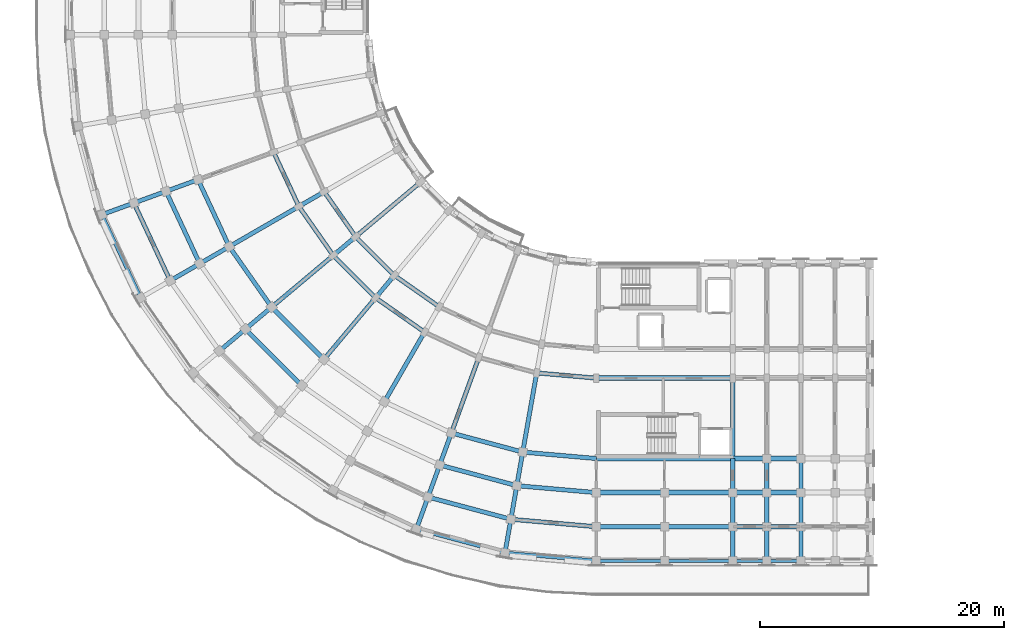
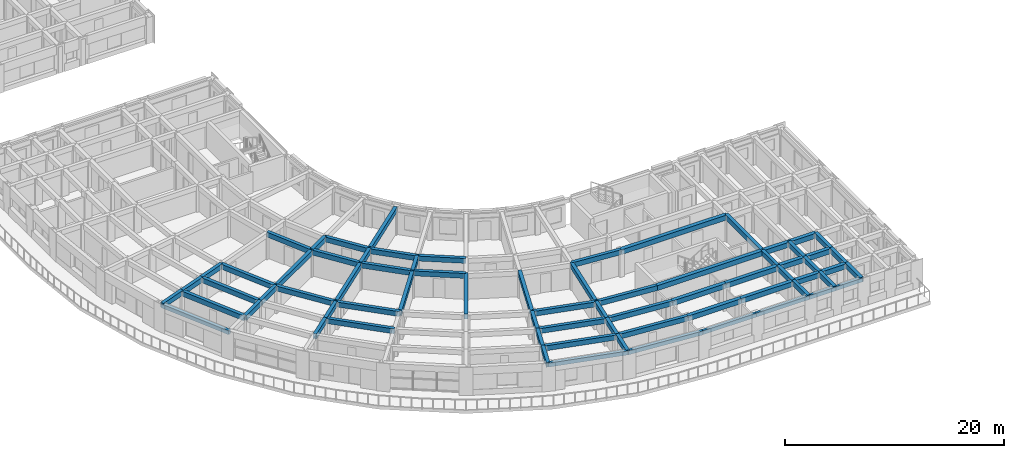
# One storey, part 5 of 57: 72 beams.
"""IFC4 building model written with IfcOpenShell, lengths in metres."""

from ifc_helpers import new_model, si_unit, direction, frame, origin, origin_2d, place, context, subcontext, project, spatial, rectangle, extrude, material, material_profile, profile_set, type_object, element, save


model = new_model("IFC4")

# Units and contexts
model_context = context("Model", 3, precision=1e-05, world=origin(), true_north=direction((0.0, 1.0)))
body_context = subcontext(model_context, "Body", "Model", "MODEL_VIEW")
ifc_project = project(units=[si_unit("LENGTHUNIT", "METRE"), si_unit("AREAUNIT", "SQUARE_METRE"), si_unit("VOLUMEUNIT", "CUBIC_METRE"), si_unit("PLANEANGLEUNIT", "RADIAN"), si_unit("MASSUNIT", "GRAM", prefix="KILO")], contexts=[model_context])

# Site, building, storey
site_placement = place(None, origin())
site = spatial("IfcSite", under=ifc_project, at=site_placement, CompositionType="ELEMENT")
building_placement = place(site_placement, origin())
building = spatial("IfcBuilding", under=site, at=building_placement, Name="Kiranvali Square Residences", CompositionType="ELEMENT")
storey_placement = place(building_placement, frame((0.0, 0.0, 21.300048828125)))
storey = spatial("IfcBuildingStorey", under=building, at=storey_placement, Name="L06", CompositionType="ELEMENT", Elevation=21.300048828125)

# Beams
ifc_material_1 = material(Name="Concrete M40 (40 MPa)", Category="concrete")
ifc_material_profile_1 = material_profile(ifc_material_1, rectangle(XDim=0.35009765625, YDim=0.550048828125, at=origin_2d()), Name="RC 350x550")
ifc_profile_set_1 = profile_set([ifc_material_profile_1], Name="Concrete M40 (40 MPa)")
beam_type_1 = type_object("IfcBeamType", Name="BM-M40-350x550", PredefinedType="BEAM", material=ifc_profile_set_1)
beam_1_placement = place(storey_placement, frame((48.199951171875, 20.0, 2.655029296875), z_axis=(-0.996193663584, 0.087167566415, 0.0), x_axis=(-0.087167566415, -0.996193663584, 0.0)))
element("IfcBeam", 1, at=beam_1_placement, inside=storey, type_object=beam_type_1, Name="L06 beam BM-C-L06-C00-R2", PredefinedType="BEAM", context=body_context, shape_type="SweptSolid", body=[
    extrude(rectangle(XDim=0.35009765625, YDim=0.550048828125, at=origin_2d()), origin(), (0.0, 0.0, 1.0), 4.91552734375),
])
beam_2_placement = place(storey_placement, frame((48.199951171875, 13.39990234375, 2.655029296875), z_axis=(-0.996193018494, 0.087174938512, 0.0), x_axis=(-0.087174938512, -0.996193018494, 0.0)))
element("IfcBeam", 2, at=beam_2_placement, inside=storey, type_object=beam_type_1, Name="L06 beam BM-C-L06-C00-R3", PredefinedType="BEAM", context=body_context, shape_type="SweptSolid", body=[
    extrude(rectangle(XDim=0.35009765625, YDim=0.550048828125, at=origin_2d()), origin(), (0.0, 0.0, 1.0), 6.066162109375),
])
beam_3_placement = place(storey_placement, frame((48.199951171875, 10.60009765625, 2.655029296875), z_axis=(-0.996196991902, 0.0871295204, 0.0), x_axis=(-0.0871295204, -0.996196991902, 0.0)))
element("IfcBeam", 3, at=beam_3_placement, inside=storey, type_object=beam_type_1, Name="L06 beam BM-C-L06-C00-R4", PredefinedType="BEAM", context=body_context, shape_type="SweptSolid", body=[
    extrude(rectangle(XDim=0.35009765625, YDim=0.550048828125, at=origin_2d()), origin(), (0.0, 0.0, 1.0), 6.553955078125),
])
beam_4_placement = place(storey_placement, frame((48.199951171875, 7.800048828125, 2.655029296875), z_axis=(-0.996194658198, 0.087156198737, 0.0), x_axis=(-0.087156198737, -0.996194658198, 0.0)))
element("IfcBeam", 4, at=beam_4_placement, inside=storey, type_object=beam_type_1, Name="L06 beam BM-C-L06-C00-R5", PredefinedType="BEAM", context=body_context, shape_type="SweptSolid", body=[
    extrude(rectangle(XDim=0.35009765625, YDim=0.550048828125, at=origin_2d()), origin(), (0.0, 0.0, 1.0), 7.042236328125),
])
beam_5_placement = place(storey_placement, frame((42.156982421875, 13.9287109375, 2.655029296875), z_axis=(-0.965923618901, 0.258827283048, 0.0), x_axis=(-0.258827283048, -0.965923618901, 0.0)))
element("IfcBeam", 5, at=beam_5_placement, inside=storey, type_object=beam_type_1, Name="L06 beam BM-C-L06-C01-R3", PredefinedType="BEAM", context=body_context, shape_type="SweptSolid", body=[
    extrude(rectangle(XDim=0.35009765625, YDim=0.550048828125, at=origin_2d()), origin(), (0.0, 0.0, 1.0), 6.066162109375),
])
beam_6_placement = place(storey_placement, frame((41.6708984375, 11.171142578125, 2.655029296875), z_axis=(-0.965918287583, 0.258847178297, 0.0), x_axis=(-0.258847178297, -0.965918287583, 0.0)))
element("IfcBeam", 6, at=beam_6_placement, inside=storey, type_object=beam_type_1, Name="L06 beam BM-C-L06-C01-R4", PredefinedType="BEAM", context=body_context, shape_type="SweptSolid", body=[
    extrude(rectangle(XDim=0.35009765625, YDim=0.550048828125, at=origin_2d()), origin(), (0.0, 0.0, 1.0), 6.55419921875),
])
beam_7_placement = place(storey_placement, frame((41.1845703125, 8.413818359375, 2.655029296875), z_axis=(-0.965931029817, 0.258799624492, 0.0), x_axis=(-0.258799624492, -0.965931029817, 0.0)))
element("IfcBeam", 7, at=beam_7_placement, inside=storey, type_object=beam_type_1, Name="L06 beam BM-C-L06-C01-R5", PredefinedType="BEAM", context=body_context, shape_type="SweptSolid", body=[
    extrude(rectangle(XDim=0.35009765625, YDim=0.550048828125, at=origin_2d()), origin(), (0.0, 0.0, 1.0), 7.042236328125),
])
beam_8_placement = place(storey_placement, frame((35.300048828125, 25.8564453125, 2.655029296875), z_axis=(-0.819155404658, 0.573571637217, 0.0), x_axis=(-0.573571637217, -0.819155404658, 0.0)))
element("IfcBeam", 8, at=beam_8_placement, inside=storey, type_object=beam_type_1, Name="L06 beam BM-C-L06-C03-R1", PredefinedType="BEAM", context=body_context, shape_type="SweptSolid", body=[
    extrude(rectangle(XDim=0.35009765625, YDim=0.550048828125, at=origin_2d()), origin(), (0.0, 0.0, 1.0), 4.497314453125),
])
beam_9_placement = place(storey_placement, frame((34.10009765625, 23.778076171875, 2.655029296875), z_axis=(-0.819140911474, 0.573592335331, 0.0), x_axis=(-0.573592335331, -0.819140911474, 0.0)))
element("IfcBeam", 9, at=beam_9_placement, inside=storey, type_object=beam_type_1, Name="L06 beam BM-C-L06-C03-R2", PredefinedType="BEAM", context=body_context, shape_type="SweptSolid", body=[
    extrude(rectangle(XDim=0.35009765625, YDim=0.550048828125, at=origin_2d()), origin(), (0.0, 0.0, 1.0), 4.915771484375),
])
beam_10_placement = place(storey_placement, frame((31.615966796875, 28.43603515625, 2.655029296875), z_axis=(-0.707106781187, 0.707106781187, 0.0), x_axis=(-0.707106781187, -0.707106781187, 0.0)))
element("IfcBeam", 10, at=beam_10_placement, inside=storey, type_object=beam_type_1, Name="L06 beam BM-C-L06-C04-R1", PredefinedType="BEAM", context=body_context, shape_type="SweptSolid", body=[
    extrude(rectangle(XDim=0.35009765625, YDim=0.550048828125, at=origin_2d()), origin(), (0.0, 0.0, 1.0), 4.4970703125),
])
beam_11_placement = place(storey_placement, frame((30.073486328125, 26.59765625, 2.655029296875), z_axis=(-0.707106781187, 0.707106781187, 0.0), x_axis=(-0.707106781187, -0.707106781187, 0.0)))
element("IfcBeam", 11, at=beam_11_placement, inside=storey, type_object=beam_type_1, Name="L06 beam BM-C-L06-C04-R2", PredefinedType="BEAM", context=body_context, shape_type="SweptSolid", body=[
    extrude(rectangle(XDim=0.35009765625, YDim=0.550048828125, at=origin_2d()), origin(), (0.0, 0.0, 1.0), 4.91552734375),
])
beam_12_placement = place(storey_placement, frame((25.8310546875, 21.541748046875, 2.655029296875), z_axis=(-0.707106781187, 0.707106781187, 0.0), x_axis=(-0.707106781187, -0.707106781187, 0.0)))
element("IfcBeam", 12, at=beam_12_placement, inside=storey, type_object=beam_type_1, Name="L06 beam BM-C-L06-C04-R3", PredefinedType="BEAM", context=body_context, shape_type="SweptSolid", body=[
    extrude(rectangle(XDim=0.35009765625, YDim=0.550048828125, at=origin_2d()), origin(), (0.0, 0.0, 1.0), 6.06591796875),
])
beam_13_placement = place(storey_placement, frame((24.03125, 19.396728515625, 2.655029296875), z_axis=(-0.707106781187, 0.707106781187, 0.0), x_axis=(-0.707106781187, -0.707106781187, 0.0)))
element("IfcBeam", 13, at=beam_13_placement, inside=storey, type_object=beam_type_1, Name="L06 beam BM-C-L06-C04-R4", PredefinedType="BEAM", context=body_context, shape_type="SweptSolid", body=[
    extrude(rectangle(XDim=0.35009765625, YDim=0.550048828125, at=origin_2d()), origin(), (0.0, 0.0, 1.0), 6.55419921875),
])
beam_14_placement = place(storey_placement, frame((28.43603515625, 31.615966796875, 2.655029296875), z_axis=(-0.573571637217, 0.819155404658, 0.0), x_axis=(-0.819155404658, -0.573571637217, 0.0)))
element("IfcBeam", 14, at=beam_14_placement, inside=storey, type_object=beam_type_1, Name="L06 beam BM-C-L06-C05-R1", PredefinedType="BEAM", context=body_context, shape_type="SweptSolid", body=[
    extrude(rectangle(XDim=0.35009765625, YDim=0.550048828125, at=origin_2d()), origin(), (0.0, 0.0, 1.0), 4.497314453125),
])
beam_15_placement = place(storey_placement, frame((26.59765625, 30.073486328125, 2.655029296875), z_axis=(-0.573592335331, 0.819140911474, 0.0), x_axis=(-0.819140911474, -0.573592335331, 0.0)))
element("IfcBeam", 15, at=beam_15_placement, inside=storey, type_object=beam_type_1, Name="L06 beam BM-C-L06-C05-R2", PredefinedType="BEAM", context=body_context, shape_type="SweptSolid", body=[
    extrude(rectangle(XDim=0.35009765625, YDim=0.550048828125, at=origin_2d()), origin(), (0.0, 0.0, 1.0), 4.915771484375),
])
beam_16_placement = place(storey_placement, frame((21.541748046875, 25.8310546875, 2.655029296875), z_axis=(-0.573594691504, 0.81913926159, 0.0), x_axis=(-0.81913926159, -0.573594691504, 0.0)))
element("IfcBeam", 16, at=beam_16_placement, inside=storey, type_object=beam_type_1, Name="L06 beam BM-C-L06-C05-R3", PredefinedType="BEAM", context=body_context, shape_type="SweptSolid", body=[
    extrude(rectangle(XDim=0.35009765625, YDim=0.550048828125, at=origin_2d()), origin(), (0.0, 0.0, 1.0), 6.066162109375),
])
beam_17_placement = place(storey_placement, frame((23.778076171875, 34.10009765625, 2.655029296875), z_axis=(-0.422629854778, 0.906302381024, 0.0), x_axis=(-0.906302381024, -0.422629854778, 0.0)))
element("IfcBeam", 17, at=beam_17_placement, inside=storey, type_object=beam_type_1, Name="L06 beam BM-C-L06-C06-R2", PredefinedType="BEAM", context=body_context, shape_type="SweptSolid", body=[
    extrude(rectangle(XDim=0.35009765625, YDim=0.550048828125, at=origin_2d()), origin(), (0.0, 0.0, 1.0), 4.915283203125),
])
beam_18_placement = place(storey_placement, frame((18.062255859375, 30.800048828125, 2.655029296875), z_axis=(-0.42260781991, 0.906312656069, 0.0), x_axis=(-0.906312656069, -0.42260781991, 0.0)))
element("IfcBeam", 18, at=beam_18_placement, inside=storey, type_object=beam_type_1, Name="L06 beam BM-C-L06-C06-R3", PredefinedType="BEAM", context=body_context, shape_type="SweptSolid", body=[
    extrude(rectangle(XDim=0.35009765625, YDim=0.550048828125, at=origin_2d()), origin(), (0.0, 0.0, 1.0), 6.06591796875),
])
beam_19_placement = place(storey_placement, frame((15.637451171875, 29.39990234375, 2.655029296875), z_axis=(-0.422595876255, 0.906318225223, 0.0), x_axis=(-0.906318225223, -0.422595876255, 0.0)))
element("IfcBeam", 19, at=beam_19_placement, inside=storey, type_object=beam_type_1, Name="L06 beam BM-C-L06-C06-R4", PredefinedType="BEAM", context=body_context, shape_type="SweptSolid", body=[
    extrude(rectangle(XDim=0.35009765625, YDim=0.550048828125, at=origin_2d()), origin(), (0.0, 0.0, 1.0), 6.55419921875),
])
beam_20_placement = place(storey_placement, frame((13.212646484375, 28.0, 2.655029296875), z_axis=(-0.422640621205, 0.906297360311, 0.0), x_axis=(-0.906297360311, -0.422640621205, 0.0)))
element("IfcBeam", 20, at=beam_20_placement, inside=storey, type_object=beam_type_1, Name="L06 beam BM-C-L06-C06-R5", PredefinedType="BEAM", context=body_context, shape_type="SweptSolid", body=[
    extrude(rectangle(XDim=0.35009765625, YDim=0.550048828125, at=origin_2d()), origin(), (0.0, 0.0, 1.0), 7.042236328125),
])
beam_21_placement = place(storey_placement, frame((43.30322265625, 20.428466796875, 2.655029296875), z_axis=(-0.173671381499, -0.984803661269, 0.0), x_axis=(0.984803661269, -0.173671381499, 0.0)))
element("IfcBeam", 21, at=beam_21_placement, inside=storey, type_object=beam_type_1, Name="L06 beam BM-C-L06-RAD01-23", PredefinedType="BEAM", context=body_context, shape_type="SweptSolid", body=[
    extrude(rectangle(XDim=0.35009765625, YDim=0.550048828125, at=origin_2d()), origin(), (0.0, 0.0, 1.0), 6.60009765625),
])
beam_22_placement = place(storey_placement, frame((42.156982421875, 13.9287109375, 2.655029296875), z_axis=(-0.173596320392, -0.984816895441, 0.0), x_axis=(0.984816895441, -0.173596320392, 0.0)))
element("IfcBeam", 22, at=beam_22_placement, inside=storey, type_object=beam_type_1, Name="L06 beam BM-C-L06-RAD01-34", PredefinedType="BEAM", context=body_context, shape_type="SweptSolid", body=[
    extrude(rectangle(XDim=0.35009765625, YDim=0.550048828125, at=origin_2d()), origin(), (0.0, 0.0, 1.0), 2.800048828125),
])
beam_23_placement = place(storey_placement, frame((41.6708984375, 11.171142578125, 2.655029296875), z_axis=(-0.173695795656, -0.984799355489, 0.0), x_axis=(0.984799355489, -0.173695795656, 0.0)))
element("IfcBeam", 23, at=beam_23_placement, inside=storey, type_object=beam_type_1, Name="L06 beam BM-C-L06-RAD01-45", PredefinedType="BEAM", context=body_context, shape_type="SweptSolid", body=[
    extrude(rectangle(XDim=0.35009765625, YDim=0.550048828125, at=origin_2d()), origin(), (0.0, 0.0, 1.0), 2.7998046875),
])
beam_24_placement = place(storey_placement, frame((41.1845703125, 8.413818359375, 2.695068359375), z_axis=(-0.173596320392, -0.984816895441, 0.0), x_axis=(0.984816895441, -0.173596320392, 0.0)))
element("IfcBeam", 24, at=beam_24_placement, inside=storey, type_object=beam_type_1, Name="L06 beam BM-C-L06-RAD01-56", PredefinedType="BEAM", context=body_context, shape_type="SweptSolid", body=[
    extrude(rectangle(XDim=0.35009765625, YDim=0.550048828125, at=origin_2d()), origin(), (0.0, 0.0, 1.0), 2.800048828125),
])
beam_25_placement = place(storey_placement, frame((38.554931640625, 21.70068359375, 2.655029296875), z_axis=(-0.342022238372, -0.939691858249, 0.0), x_axis=(0.939691858249, -0.342022238372, 0.0)))
element("IfcBeam", 25, at=beam_25_placement, inside=storey, type_object=beam_type_1, Name="L06 beam BM-C-L06-RAD02-23", PredefinedType="BEAM", context=body_context, shape_type="SweptSolid", body=[
    extrude(rectangle(XDim=0.35009765625, YDim=0.550048828125, at=origin_2d()), origin(), (0.0, 0.0, 1.0), 6.599853515625),
])
beam_26_placement = place(storey_placement, frame((36.297607421875, 15.498779296875, 2.655029296875), z_axis=(-0.341981089711, -0.93970683422, 0.0), x_axis=(0.93970683422, -0.341981089711, 0.0)))
element("IfcBeam", 26, at=beam_26_placement, inside=storey, type_object=beam_type_1, Name="L06 beam BM-C-L06-RAD02-34", PredefinedType="BEAM", context=body_context, shape_type="SweptSolid", body=[
    extrude(rectangle(XDim=0.35009765625, YDim=0.550048828125, at=origin_2d()), origin(), (0.0, 0.0, 1.0), 2.7998046875),
])
beam_27_placement = place(storey_placement, frame((35.340087890625, 12.86767578125, 2.655029296875), z_axis=(-0.342030060398, -0.939689011208, 0.0), x_axis=(0.939689011208, -0.342030060398, 0.0)))
element("IfcBeam", 27, at=beam_27_placement, inside=storey, type_object=beam_type_1, Name="L06 beam BM-C-L06-RAD02-45", PredefinedType="BEAM", context=body_context, shape_type="SweptSolid", body=[
    extrude(rectangle(XDim=0.35009765625, YDim=0.550048828125, at=origin_2d()), origin(), (0.0, 0.0, 1.0), 2.80029296875),
])
beam_28_placement = place(storey_placement, frame((34.38232421875, 10.236328125, 2.695068359375), z_axis=(-0.341981089711, -0.93970683422, 0.0), x_axis=(0.93970683422, -0.341981089711, 0.0)))
element("IfcBeam", 28, at=beam_28_placement, inside=storey, type_object=beam_type_1, Name="L06 beam BM-C-L06-RAD02-56", PredefinedType="BEAM", context=body_context, shape_type="SweptSolid", body=[
    extrude(rectangle(XDim=0.35009765625, YDim=0.550048828125, at=origin_2d()), origin(), (0.0, 0.0, 1.0), 2.7998046875),
])
beam_29_placement = place(storey_placement, frame((34.10009765625, 23.778076171875, 2.655029296875), z_axis=(-0.500002094529, -0.866024194504, 0.0), x_axis=(0.866024194504, -0.500002094529, 0.0)))
element("IfcBeam", 29, at=beam_29_placement, inside=storey, type_object=beam_type_1, Name="L06 beam BM-C-L06-RAD03-23", PredefinedType="BEAM", context=body_context, shape_type="SweptSolid", body=[
    extrude(rectangle(XDim=0.35009765625, YDim=0.550048828125, at=origin_2d()), origin(), (0.0, 0.0, 1.0), 6.60009765625),
])
beam_30_placement = place(storey_placement, frame((31.615966796875, 28.43603515625, 2.655029296875), z_axis=(-0.642762521781, -0.766065493671, 0.0), x_axis=(0.766065493671, -0.642762521781, 0.0)))
element("IfcBeam", 30, at=beam_30_placement, inside=storey, type_object=beam_type_1, Name="L06 beam BM-C-L06-RAD04-12", PredefinedType="BEAM", context=body_context, shape_type="SweptSolid", body=[
    extrude(rectangle(XDim=0.35009765625, YDim=0.550048828125, at=origin_2d()), origin(), (0.0, 0.0, 1.0), 2.399658203125),
])
beam_31_placement = place(storey_placement, frame((30.073486328125, 26.59765625, 2.655029296875), z_axis=(-0.642789470807, -0.766042881449, 0.0), x_axis=(0.766042881449, -0.642789470807, 0.0)))
element("IfcBeam", 31, at=beam_31_placement, inside=storey, type_object=beam_type_1, Name="L06 beam BM-C-L06-RAD04-23", PredefinedType="BEAM", context=body_context, shape_type="SweptSolid", body=[
    extrude(rectangle(XDim=0.35009765625, YDim=0.550048828125, at=origin_2d()), origin(), (0.0, 0.0, 1.0), 6.60009765625),
])
beam_32_placement = place(storey_placement, frame((33.79833984375, 36.115478515625, 2.655029296875), z_axis=(-0.766044173478, -0.642787931032, 0.0), x_axis=(0.642787931032, -0.766044173478, 0.0)))
element("IfcBeam", 32, at=beam_32_placement, inside=storey, type_object=beam_type_1, Name="L06 beam BM-C-L06-RAD05-01", PredefinedType="BEAM", context=body_context, shape_type="SweptSolid", body=[
    extrude(rectangle(XDim=0.35009765625, YDim=0.550048828125, at=origin_2d()), origin(), (0.0, 0.0, 1.0), 7.0),
])
beam_33_placement = place(storey_placement, frame((28.43603515625, 31.615966796875, 2.655029296875), z_axis=(-0.766065493671, -0.642762521781, 0.0), x_axis=(0.642762521781, -0.766065493671, 0.0)))
element("IfcBeam", 33, at=beam_33_placement, inside=storey, type_object=beam_type_1, Name="L06 beam BM-C-L06-RAD05-12", PredefinedType="BEAM", context=body_context, shape_type="SweptSolid", body=[
    extrude(rectangle(XDim=0.35009765625, YDim=0.550048828125, at=origin_2d()), origin(), (0.0, 0.0, 1.0), 2.399658203125),
])
beam_34_placement = place(storey_placement, frame((26.59765625, 30.073486328125, 2.655029296875), z_axis=(-0.766042881449, -0.642789470807, 0.0), x_axis=(0.642789470807, -0.766042881449, 0.0)))
element("IfcBeam", 34, at=beam_34_placement, inside=storey, type_object=beam_type_1, Name="L06 beam BM-C-L06-RAD05-23", PredefinedType="BEAM", context=body_context, shape_type="SweptSolid", body=[
    extrude(rectangle(XDim=0.35009765625, YDim=0.550048828125, at=origin_2d()), origin(), (0.0, 0.0, 1.0), 6.60009765625),
])
for number, where, z_axis, x_axis, name in (
    (35, (21.541748046875, 25.8310546875, 2.655029296875), (-0.766058583359, -0.642770757628, 0.0), (0.642770757628, -0.766058583359, 0.0), "L06 beam BM-C-L06-RAD05-34"),
    (36, (19.396728515625, 24.03125, 2.655029296875), (-0.766058583359, -0.642770757628, 0.0), (0.642770757628, -0.766058583359, 0.0), "L06 beam BM-C-L06-RAD05-45"),
):
    element("IfcBeam", number, at=place(storey_placement, frame(where, z_axis=z_axis, x_axis=x_axis)), inside=storey, type_object=beam_type_1, Name=name, PredefinedType="BEAM", context=body_context, shape_type="SweptSolid", body=[
        extrude(rectangle(XDim=0.35009765625, YDim=0.550048828125, at=origin_2d()), origin(), (0.0, 0.0, 1.0), 2.800048828125),
    ])
beam_35_placement = place(storey_placement, frame((25.8564453125, 35.300048828125, 2.655029296875), z_axis=(-0.866024647952, -0.500001309137, 0.0), x_axis=(0.500001309137, -0.866024647952, 0.0)))
element("IfcBeam", 37, at=beam_35_placement, inside=storey, type_object=beam_type_1, Name="L06 beam BM-C-L06-RAD06-12", PredefinedType="BEAM", context=body_context, shape_type="SweptSolid", body=[
    extrude(rectangle(XDim=0.35009765625, YDim=0.550048828125, at=origin_2d()), origin(), (0.0, 0.0, 1.0), 2.39990234375),
])
beam_36_placement = place(storey_placement, frame((23.778076171875, 34.10009765625, 2.655029296875), z_axis=(-0.866024194504, -0.500002094529, 0.0), x_axis=(0.500002094529, -0.866024194504, 0.0)))
element("IfcBeam", 38, at=beam_36_placement, inside=storey, type_object=beam_type_1, Name="L06 beam BM-C-L06-RAD06-23", PredefinedType="BEAM", context=body_context, shape_type="SweptSolid", body=[
    extrude(rectangle(XDim=0.35009765625, YDim=0.550048828125, at=origin_2d()), origin(), (0.0, 0.0, 1.0), 6.60009765625),
])
beam_37_placement = place(storey_placement, frame((18.062255859375, 30.800048828125, 2.655029296875), z_axis=(-0.865996816683, -0.500049511043, 0.0), x_axis=(0.500049511043, -0.865996816683, 0.0)))
element("IfcBeam", 39, at=beam_37_placement, inside=storey, type_object=beam_type_1, Name="L06 beam BM-C-L06-RAD06-34", PredefinedType="BEAM", context=body_context, shape_type="SweptSolid", body=[
    extrude(rectangle(XDim=0.35009765625, YDim=0.550048828125, at=origin_2d()), origin(), (0.0, 0.0, 1.0), 2.800048828125),
])
for number, where, z_axis, x_axis, name in (
    (40, (15.637451171875, 29.39990234375, 2.655029296875), (-0.866034573852, -0.49998411664, 0.0), (0.49998411664, -0.866034573852, 0.0), "L06 beam BM-C-L06-RAD06-45"),
    (41, (15.498779296875, 36.297607421875, 2.655029296875), (-0.93970683422, -0.341981089711, 0.0), (0.341981089711, -0.93970683422, 0.0), "L06 beam BM-C-L06-RAD07-34"),
):
    element("IfcBeam", number, at=place(storey_placement, frame(where, z_axis=z_axis, x_axis=x_axis)), inside=storey, type_object=beam_type_1, Name=name, PredefinedType="BEAM", context=body_context, shape_type="SweptSolid", body=[
        extrude(rectangle(XDim=0.35009765625, YDim=0.550048828125, at=origin_2d()), origin(), (0.0, 0.0, 1.0), 2.7998046875),
    ])
beam_38_placement = place(storey_placement, frame((12.86767578125, 35.340087890625, 2.655029296875), z_axis=(-0.939689011208, -0.342030060398, 0.0), x_axis=(0.342030060398, -0.939689011208, 0.0)))
element("IfcBeam", 42, at=beam_38_placement, inside=storey, type_object=beam_type_1, Name="L06 beam BM-C-L06-RAD07-45", PredefinedType="BEAM", context=body_context, shape_type="SweptSolid", body=[
    extrude(rectangle(XDim=0.35009765625, YDim=0.550048828125, at=origin_2d()), origin(), (0.0, 0.0, 1.0), 2.80029296875),
])
beam_39_placement = place(storey_placement, frame((10.236328125, 34.38232421875, 2.695068359375), z_axis=(-0.93970683422, -0.341981089711, 0.0), x_axis=(0.341981089711, -0.93970683422, 0.0)))
element("IfcBeam", 43, at=beam_39_placement, inside=storey, type_object=beam_type_1, Name="L06 beam BM-C-L06-RAD07-56", PredefinedType="BEAM", context=body_context, shape_type="SweptSolid", body=[
    extrude(rectangle(XDim=0.35009765625, YDim=0.550048828125, at=origin_2d()), origin(), (0.0, 0.0, 1.0), 2.7998046875),
])
beam_40_placement = place(storey_placement, frame((59.39990234375, 20.0, 2.655029296875), z_axis=(0.0, -1.0, 0.0), x_axis=(1.0, 0.0, 0.0)))
element("IfcBeam", 44, at=beam_40_placement, inside=storey, type_object=beam_type_1, Name="L06 beam BM-C-L06-A1T1-23", PredefinedType="BEAM", context=body_context, shape_type="SweptSolid", body=[
    extrude(rectangle(XDim=0.35009765625, YDim=0.550048828125, at=origin_2d()), origin(), (0.0, 0.0, 1.0), 6.60009765625),
])
beam_41_placement = place(storey_placement, frame((59.39990234375, 13.39990234375, 2.655029296875), z_axis=(0.0, -1.0, 0.0), x_axis=(1.0, 0.0, 0.0)))
element("IfcBeam", 45, at=beam_41_placement, inside=storey, type_object=beam_type_1, Name="L06 beam BM-C-L06-A1T1-34", PredefinedType="BEAM", context=body_context, shape_type="SweptSolid", body=[
    extrude(rectangle(XDim=0.35009765625, YDim=0.550048828125, at=origin_2d()), origin(), (0.0, 0.0, 1.0), 2.7998046875),
])
for number, where, z_axis, x_axis, name in (
    (46, (59.39990234375, 10.60009765625, 2.655029296875), (0.0, -1.0, 0.0), (1.0, 0.0, 0.0), "L06 beam BM-C-L06-A1T1-45"),
    (47, (59.39990234375, 7.800048828125, 2.695068359375), (0.0, -1.0, 0.0), (1.0, 0.0, 0.0), "L06 beam BM-C-L06-A1T1-56"),
):
    element("IfcBeam", number, at=place(storey_placement, frame(where, z_axis=z_axis, x_axis=x_axis)), inside=storey, type_object=beam_type_1, Name=name, PredefinedType="BEAM", context=body_context, shape_type="SweptSolid", body=[
        extrude(rectangle(XDim=0.35009765625, YDim=0.550048828125, at=origin_2d()), origin(), (0.0, 0.0, 1.0), 2.800048828125),
    ])
beam_42_placement = place(storey_placement, frame((62.199951171875, 13.39990234375, 2.655029296875), z_axis=(0.0, -1.0, 0.0), x_axis=(1.0, 0.0, 0.0)))
element("IfcBeam", 48, at=beam_42_placement, inside=storey, type_object=beam_type_1, Name="L06 beam BM-C-L06-A1T2-34", PredefinedType="BEAM", context=body_context, shape_type="SweptSolid", body=[
    extrude(rectangle(XDim=0.35009765625, YDim=0.550048828125, at=origin_2d()), origin(), (0.0, 0.0, 1.0), 2.7998046875),
])
for number, where, z_axis, x_axis, name in (
    (49, (62.199951171875, 10.60009765625, 2.655029296875), (0.0, -1.0, 0.0), (1.0, 0.0, 0.0), "L06 beam BM-C-L06-A1T2-45"),
    (50, (62.199951171875, 7.800048828125, 2.695068359375), (0.0, -1.0, 0.0), (1.0, 0.0, 0.0), "L06 beam BM-C-L06-A1T2-56"),
):
    element("IfcBeam", number, at=place(storey_placement, frame(where, z_axis=z_axis, x_axis=x_axis)), inside=storey, type_object=beam_type_1, Name=name, PredefinedType="BEAM", context=body_context, shape_type="SweptSolid", body=[
        extrude(rectangle(XDim=0.35009765625, YDim=0.550048828125, at=origin_2d()), origin(), (0.0, 0.0, 1.0), 2.800048828125),
    ])
beam_43_placement = place(storey_placement, frame((65.0, 13.39990234375, 2.655029296875), z_axis=(0.0, -1.0, 0.0), x_axis=(1.0, 0.0, 0.0)))
element("IfcBeam", 51, at=beam_43_placement, inside=storey, type_object=beam_type_1, Name="L06 beam BM-C-L06-A1T3-34", PredefinedType="BEAM", context=body_context, shape_type="SweptSolid", body=[
    extrude(rectangle(XDim=0.35009765625, YDim=0.550048828125, at=origin_2d()), origin(), (0.0, 0.0, 1.0), 2.7998046875),
])
for number, where, z_axis, x_axis, name in (
    (52, (65.0, 10.60009765625, 2.655029296875), (0.0, -1.0, 0.0), (1.0, 0.0, 0.0), "L06 beam BM-C-L06-A1T3-45"),
    (53, (65.0, 7.800048828125, 2.695068359375), (0.0, -1.0, 0.0), (1.0, 0.0, 0.0), "L06 beam BM-C-L06-A1T3-56"),
):
    element("IfcBeam", number, at=place(storey_placement, frame(where, z_axis=z_axis, x_axis=x_axis)), inside=storey, type_object=beam_type_1, Name=name, PredefinedType="BEAM", context=body_context, shape_type="SweptSolid", body=[
        extrude(rectangle(XDim=0.35009765625, YDim=0.550048828125, at=origin_2d()), origin(), (0.0, 0.0, 1.0), 2.800048828125),
    ])
ifc_material_2 = material(Name="Concrete M45 (45 MPa)", Category="concrete")
ifc_material_profile_2 = material_profile(ifc_material_2, rectangle(XDim=0.39990234375, YDim=0.550048828125, at=origin_2d()), Name="RC 400x550")
ifc_profile_set_2 = profile_set([ifc_material_profile_2], Name="Concrete M45 (45 MPa)")
beam_type_2 = type_object("IfcBeamType", Name="BM-M45-400x550", PredefinedType="BEAM", material=ifc_profile_set_2)
for number, where, z_axis, x_axis, name in (
    (54, (48.199951171875, 20.0, 2.655029296875), (1.0, 0.0, 0.0), (0.0, 1.0, 0.0), "L06 beam BM-C-L06-A1U0-R2"),
    (55, (48.199951171875, 13.39990234375, 2.655029296875), (1.0, 0.0, 0.0), (0.0, 1.0, 0.0), "L06 beam BM-C-L06-A1U0-R3"),
):
    element("IfcBeam", number, at=place(storey_placement, frame(where, z_axis=z_axis, x_axis=x_axis)), inside=storey, type_object=beam_type_2, Name=name, PredefinedType="BEAM", context=body_context, shape_type="SweptSolid", body=[
        extrude(rectangle(XDim=0.39990234375, YDim=0.550048828125, at=origin_2d()), origin(), (0.0, 0.0, 1.0), 11.199951171875),
    ])
for number, where, z_axis, x_axis, name in (
    (56, (59.39990234375, 13.39990234375, 2.655029296875), (1.0, 0.0, 0.0), (0.0, 1.0, 0.0), "L06 beam BM-C-L06-A1U1-R3"),
    (57, (62.199951171875, 13.39990234375, 2.655029296875), (1.0, 0.0, 0.0), (0.0, 1.0, 0.0), "L06 beam BM-C-L06-A1U2-R3"),
):
    element("IfcBeam", number, at=place(storey_placement, frame(where, z_axis=z_axis, x_axis=x_axis)), inside=storey, type_object=beam_type_2, Name=name, PredefinedType="BEAM", context=body_context, shape_type="SweptSolid", body=[
        extrude(rectangle(XDim=0.39990234375, YDim=0.550048828125, at=origin_2d()), origin(), (0.0, 0.0, 1.0), 2.800048828125),
    ])
beam_44_placement = place(storey_placement, frame((48.199951171875, 10.60009765625, 2.655029296875), z_axis=(1.0, 0.0, 0.0), x_axis=(0.0, 1.0, 0.0)))
element("IfcBeam", 58, at=beam_44_placement, inside=storey, type_object=beam_type_2, Name="L06 beam BM-C-L06-A1U0-R4", PredefinedType="BEAM", context=body_context, shape_type="SweptSolid", body=[
    extrude(rectangle(XDim=0.39990234375, YDim=0.550048828125, at=origin_2d()), origin(), (0.0, 0.0, 1.0), 5.60009765625),
])
beam_45_placement = place(storey_placement, frame((53.800048828125, 10.60009765625, 2.655029296875), z_axis=(1.0, 0.0, 0.0), x_axis=(0.0, 1.0, 0.0)))
element("IfcBeam", 59, at=beam_45_placement, inside=storey, type_object=beam_type_2, Name="L06 beam BM-C-L06-A1U1-R4", PredefinedType="BEAM", context=body_context, shape_type="SweptSolid", body=[
    extrude(rectangle(XDim=0.39990234375, YDim=0.550048828125, at=origin_2d()), origin(), (0.0, 0.0, 1.0), 5.599853515625),
])
for number, where, z_axis, x_axis, name in (
    (60, (59.39990234375, 10.60009765625, 2.655029296875), (1.0, 0.0, 0.0), (0.0, 1.0, 0.0), "L06 beam BM-C-L06-A1U2-R4"),
    (61, (62.199951171875, 10.60009765625, 2.655029296875), (1.0, 0.0, 0.0), (0.0, 1.0, 0.0), "L06 beam BM-C-L06-A1U3-R4"),
):
    element("IfcBeam", number, at=place(storey_placement, frame(where, z_axis=z_axis, x_axis=x_axis)), inside=storey, type_object=beam_type_2, Name=name, PredefinedType="BEAM", context=body_context, shape_type="SweptSolid", body=[
        extrude(rectangle(XDim=0.39990234375, YDim=0.550048828125, at=origin_2d()), origin(), (0.0, 0.0, 1.0), 2.800048828125),
    ])
beam_46_placement = place(storey_placement, frame((48.199951171875, 7.800048828125, 2.655029296875), z_axis=(1.0, 0.0, 0.0), x_axis=(0.0, 1.0, 0.0)))
element("IfcBeam", 62, at=beam_46_placement, inside=storey, type_object=beam_type_2, Name="L06 beam BM-C-L06-A1U0-R5", PredefinedType="BEAM", context=body_context, shape_type="SweptSolid", body=[
    extrude(rectangle(XDim=0.39990234375, YDim=0.550048828125, at=origin_2d()), origin(), (0.0, 0.0, 1.0), 5.60009765625),
])
beam_47_placement = place(storey_placement, frame((53.800048828125, 7.800048828125, 2.655029296875), z_axis=(1.0, 0.0, 0.0), x_axis=(0.0, 1.0, 0.0)))
element("IfcBeam", 63, at=beam_47_placement, inside=storey, type_object=beam_type_2, Name="L06 beam BM-C-L06-A1U1-R5", PredefinedType="BEAM", context=body_context, shape_type="SweptSolid", body=[
    extrude(rectangle(XDim=0.39990234375, YDim=0.550048828125, at=origin_2d()), origin(), (0.0, 0.0, 1.0), 5.599853515625),
])
for number, where, z_axis, x_axis, name in (
    (64, (59.39990234375, 7.800048828125, 2.655029296875), (1.0, 0.0, 0.0), (0.0, 1.0, 0.0), "L06 beam BM-C-L06-A1U2-R5"),
    (65, (62.199951171875, 7.800048828125, 2.655029296875), (1.0, 0.0, 0.0), (0.0, 1.0, 0.0), "L06 beam BM-C-L06-A1U3-R5"),
):
    element("IfcBeam", number, at=place(storey_placement, frame(where, z_axis=z_axis, x_axis=x_axis)), inside=storey, type_object=beam_type_2, Name=name, PredefinedType="BEAM", context=body_context, shape_type="SweptSolid", body=[
        extrude(rectangle(XDim=0.39990234375, YDim=0.550048828125, at=origin_2d()), origin(), (0.0, 0.0, 1.0), 2.800048828125),
    ])
ifc_material_profile_3 = material_profile(ifc_material_1, rectangle(XDim=0.25, YDim=0.449951171875, at=origin_2d()), Name="RC 250x450")
ifc_profile_set_3 = profile_set([ifc_material_profile_3], Name="Concrete M40 (40 MPa)")
beam_type_3 = type_object("IfcBeamType", Name="SPN-M40-250x450", PredefinedType="SPANDREL", material=ifc_profile_set_3)
beam_48_placement = place(storey_placement, frame((48.199951171875, 5.0, 2.744873046875), z_axis=(1.0, 0.0, 0.0), x_axis=(0.0, 1.0, 0.0)))
element("IfcBeam", 66, at=beam_48_placement, inside=storey, type_object=beam_type_3, Name="L06 beam BM-C-L06-A1U0-R6", PredefinedType="SPANDREL", context=body_context, shape_type="SweptSolid", body=[
    extrude(rectangle(XDim=0.25, YDim=0.449951171875, at=origin_2d()), origin(), (0.0, 0.0, 1.0), 5.60009765625),
])
beam_49_placement = place(storey_placement, frame((53.800048828125, 5.0, 2.744873046875), z_axis=(1.0, 0.0, 0.0), x_axis=(0.0, 1.0, 0.0)))
element("IfcBeam", 67, at=beam_49_placement, inside=storey, type_object=beam_type_3, Name="L06 beam BM-C-L06-A1U1-R6", PredefinedType="SPANDREL", context=body_context, shape_type="SweptSolid", body=[
    extrude(rectangle(XDim=0.25, YDim=0.449951171875, at=origin_2d()), origin(), (0.0, 0.0, 1.0), 5.599853515625),
])
for number, where, z_axis, x_axis, name in (
    (68, (59.39990234375, 5.0, 2.744873046875), (1.0, 0.0, 0.0), (0.0, 1.0, 0.0), "L06 beam BM-C-L06-A1U2-R6"),
    (69, (62.199951171875, 5.0, 2.744873046875), (1.0, 0.0, 0.0), (0.0, 1.0, 0.0), "L06 beam BM-C-L06-A1U3-R6"),
):
    element("IfcBeam", number, at=place(storey_placement, frame(where, z_axis=z_axis, x_axis=x_axis)), inside=storey, type_object=beam_type_3, Name=name, PredefinedType="SPANDREL", context=body_context, shape_type="SweptSolid", body=[
        extrude(rectangle(XDim=0.25, YDim=0.449951171875, at=origin_2d()), origin(), (0.0, 0.0, 1.0), 2.800048828125),
    ])
ifc_material_profile_4 = material_profile(ifc_material_1, rectangle(XDim=0.300048828125, YDim=0.449951171875, at=origin_2d()), Name="RC 300x450")
ifc_profile_set_4 = profile_set([ifc_material_profile_4], Name="Concrete M40 (40 MPa)")
beam_type_4 = type_object("IfcBeamType", Name="SPN-M40-300x450", PredefinedType="SPANDREL", material=ifc_profile_set_4)
beam_50_placement = place(storey_placement, frame((48.199951171875, 5.0, 2.744873046875), z_axis=(-0.996195195417, 0.087150058103, 0.0), x_axis=(-0.087150058103, -0.996195195417, 0.0)))
element("IfcBeam", 70, at=beam_50_placement, inside=storey, type_object=beam_type_4, Name="L06 beam BM-C-L06-C00-R6", PredefinedType="SPANDREL", context=body_context, shape_type="SweptSolid", body=[
    extrude(rectangle(XDim=0.300048828125, YDim=0.449951171875, at=origin_2d()), origin(), (0.0, 0.0, 1.0), 7.530029296875),
])
for number, where, z_axis, x_axis, name in (
    (71, (40.698486328125, 5.65625, 2.744873046875), (-0.965925909693, 0.258818733833, 0.0), (-0.258818733833, -0.965925909693, 0.0), "L06 beam BM-C-L06-C01-R6"),
    (72, (10.78759765625, 26.60009765625, 2.744873046875), (-0.422613886933, 0.90630982703, 0.0), (-0.90630982703, -0.422613886933, 0.0), "L06 beam BM-C-L06-C06-R6"),
):
    element("IfcBeam", number, at=place(storey_placement, frame(where, z_axis=z_axis, x_axis=x_axis)), inside=storey, type_object=beam_type_4, Name=name, PredefinedType="SPANDREL", context=body_context, shape_type="SweptSolid", body=[
        extrude(rectangle(XDim=0.300048828125, YDim=0.449951171875, at=origin_2d()), origin(), (0.0, 0.0, 1.0), 7.5302734375),
    ])

save(model, "model.ifc")
